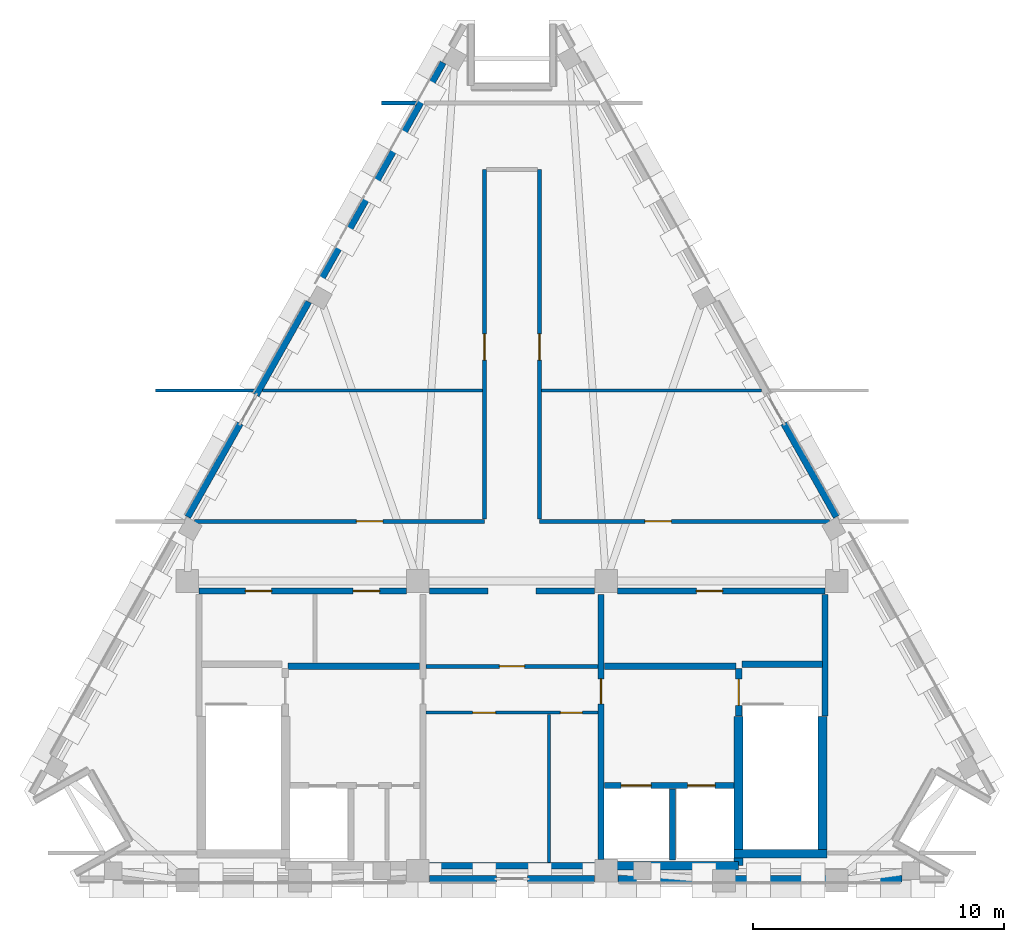
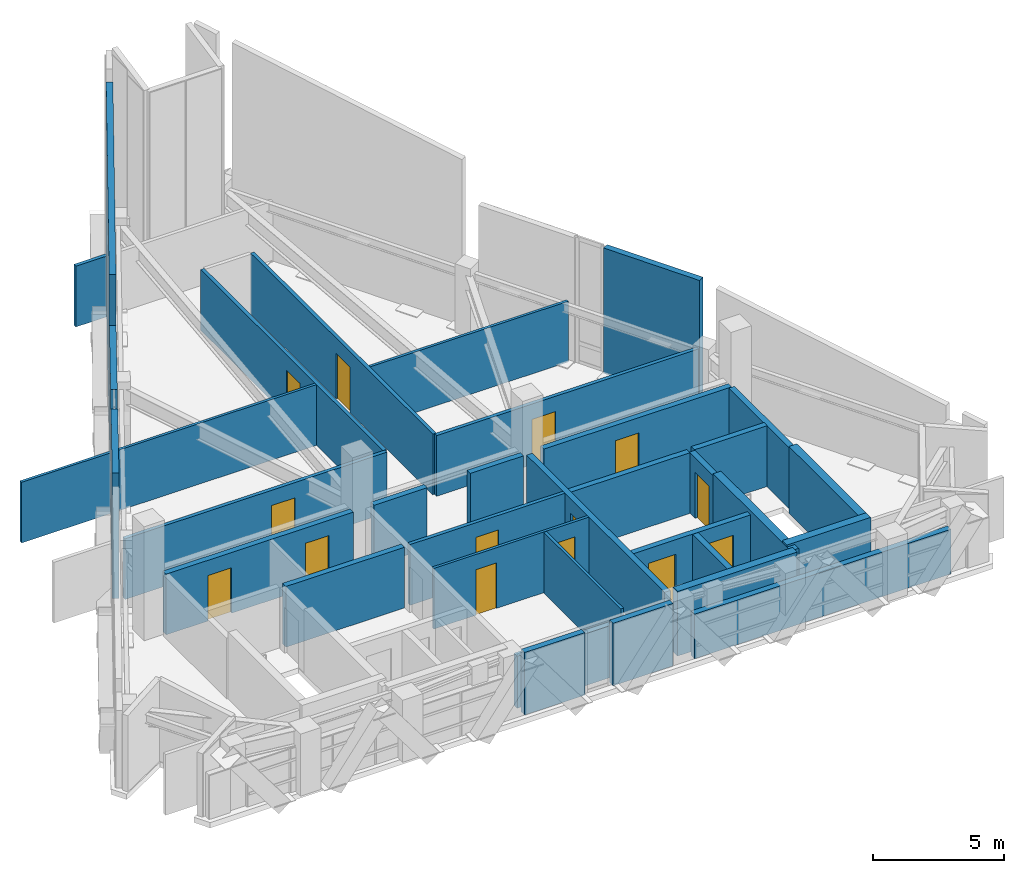
# One storey, part 4 of 7: 35 walls, 14 doors, 14 openings.
"""IFC4 building model written with IfcOpenShell, lengths in metres."""

from ifc_helpers import new_model, si_unit, direction, frame, frame_2d, origin, place, context, subcontext, project, spatial, polyline, rectangle, outline, extrude, material, layer, layer_set, type_object, element, fill, save


model = new_model("IFC4")

# Units and contexts
model_context = context("Model", 3, precision=1e-05, world=origin(), true_north=direction((0.0, 1.0)))
body_context = subcontext(model_context, "Body", "Model", "MODEL_VIEW")
ifc_project = project(units=[si_unit("LENGTHUNIT", "METRE"), si_unit("AREAUNIT", "SQUARE_METRE"), si_unit("VOLUMEUNIT", "CUBIC_METRE"), si_unit("PLANEANGLEUNIT", "RADIAN"), si_unit("MASSUNIT", "GRAM", prefix="KILO")], contexts=[model_context])

# Site, building, storey
site_placement = place(None, origin())
site = spatial("IfcSite", under=ifc_project, at=site_placement, CompositionType="ELEMENT")
building_placement = place(site_placement, origin())
building = spatial("IfcBuilding", under=site, at=building_placement, Name="Quenlor Broadcast Tower", CompositionType="ELEMENT")
storey_placement = place(building_placement, frame((0.0, 0.0, 286.89990234375)))
storey = spatial("IfcBuildingStorey", under=building, at=storey_placement, Name="L80", CompositionType="ELEMENT", Elevation=286.89990234375)

# Walls
ifc_material_1 = material(Name="Concrete C50/60", Category="concrete")
ifc_layer_1 = layer(ifc_material_1, 0.35009765625)
ifc_layer_set_1 = layer_set([ifc_layer_1], Name="Core Concrete C50/60 Shear Wall 350")
wall_type_1 = type_object("IfcWallType", Name="Core Concrete C50/60 Shear Wall 350", PredefinedType="SHEAR", material=ifc_layer_set_1)
wall_1_placement = place(storey_placement, frame((3.75, -16.14990234375, 0.0), z_axis=(0.0, 0.0, 1.0), x_axis=(1.0, 0.0, 0.0)))
element("IfcWall", 1, at=wall_1_placement, inside=storey, type_object=wall_type_1, Name="L80 Core Shear Wall WS-E1", PredefinedType="SHEAR", context=body_context, shape_type="SweptSolid", body=[
    extrude(rectangle(XDim=5.27490234375, YDim=0.35009765625, at=frame_2d((2.637451171875, 0.0))), origin(), (0.0, 0.0, 1.0), 3.012939453125),
])
wall_2_placement = place(storey_placement, frame((8.85009765625, -15.675048828125, 0.0), z_axis=(0.0, 0.0, 1.0), x_axis=(1.0, 0.0, 0.0)))
element("IfcWall", 2, at=wall_2_placement, inside=storey, type_object=wall_type_1, Name="L80 Core Shear Wall WS-E2", PredefinedType="SHEAR", context=body_context, shape_type="SweptSolid", body=[
    extrude(rectangle(XDim=3.699951171875, YDim=0.35009765625, at=frame_2d((1.85009765625, 0.0))), origin(), (0.0, 0.0, 1.0), 3.109619140625),
])
wall_3_placement = place(storey_placement, frame((12.375, -15.675048828125, 0.0), z_axis=(0.0, 0.0, 1.0), x_axis=(0.0, 1.0, 0.0)))
element("IfcWall", 3, at=wall_3_placement, inside=storey, type_object=wall_type_1, Name="L80 Core Shear Wall WF-E", PredefinedType="SHEAR", context=body_context, shape_type="SweptSolid", body=[
    extrude(rectangle(XDim=5.47509765625, YDim=0.35009765625, at=frame_2d((2.737548828125, 0.0))), origin(), (0.0, 0.0, 1.0), 3.109619140625),
])
wall_4_placement = place(storey_placement, frame((9.02490234375, -16.14990234375, 0.0), z_axis=(0.0, 0.0, 1.0), x_axis=(0.0, 1.0, 0.0)))
element("IfcWall", 4, at=wall_4_placement, inside=storey, type_object=wall_type_1, Name="L80 Core Shear Wall WI-E", PredefinedType="SHEAR", context=body_context, shape_type="SweptSolid", body=[
    extrude(rectangle(XDim=5.949951171875, YDim=0.35009765625, at=frame_2d((2.97509765625, 0.0))), origin(), (0.0, 0.0, 1.0), 3.012939453125),
])

# Wall, opening, door
ifc_material_2 = material(Name="Concrete C40/50", Category="concrete")
ifc_layer_2 = layer(ifc_material_2, 0.25)
ifc_layer_set_2 = layer_set([ifc_layer_2], Name="Fire Rated Concrete C40/50 Core Wall 250")
wall_type_2 = type_object("IfcWallType", Name="Fire Rated Concrete C40/50 Core Wall 250", PredefinedType="PARTITIONING", material=ifc_layer_set_2)
wall_5_placement = place(storey_placement, frame((9.0400390625, -10.179931640625, 0.0), z_axis=(0.0, 0.0, 1.0), x_axis=(0.0, 1.0, 0.0)))
wall_5 = element("IfcWall", 5, at=wall_5_placement, inside=storey, type_object=wall_type_2, Name="L80 Interior Wall CW-ST2-DR", PredefinedType="PARTITIONING", context=body_context, shape_type="SweptSolid", body=[
    extrude(rectangle(XDim=1.89990234375, YDim=0.25, at=frame_2d((0.949951171875, 0.0))), origin(), (0.0, 0.0, 1.0), 2.8330078125),
])
opening_1_placement = place(wall_5_placement, frame((0.419921875, 0.0, 0.0)))
opening_1 = element("IfcOpeningElement", 6, at=opening_1_placement, cuts=wall_5, Name="Opening FD-1", PredefinedType="OPENING", context=body_context, shape_type="SweptSolid", body=[
    extrude(rectangle(XDim=1.050048828125, YDim=2.14990234375, at=frame_2d((0.52490234375, 1.074951171875))), frame((0.0, 0.135009765625, 0.0), z_axis=(0.0, -1.0, 0.0), x_axis=(1.0, 0.0, 0.0)), (0.0, 0.0, 1.0), 0.27001953125),
])
ifc_material_3 = material(Name="Fire Rated Steel Door Leaf", Category="steel")
door_type_1 = type_object("IfcDoorType", Name="Fire Isolated Stair Door 1050x2150", OperationType="NOTDEFINED", PredefinedType="DOOR", material=ifc_material_3)
door_1_placement = place(opening_1_placement, origin())
door_1 = element("IfcDoor", 7, at=door_1_placement, inside=storey, type_object=door_type_1, Name="L80 Door DR-ST2", OperationType="SINGLE_SWING_RIGHT", OverallHeight=2.14990234375, OverallWidth=1.050048828125, PredefinedType="DOOR", context=body_context, shape_type="SweptSolid", body=[
    extrude(rectangle(XDim=1.050048828125, YDim=2.14990234375, at=frame_2d((0.52490234375, 1.074951171875))), frame((0.0, 0.02490234375, 0.0), z_axis=(0.0, -1.0, 0.0), x_axis=(1.0, 0.0, 0.0)), (0.0, 0.0, 1.0), 0.050048828125),
])
fill(opening_1, door_1)

# Walls
wall_6_placement = place(storey_placement, frame((9.159912109375, -8.1201171875, 0.0), z_axis=(0.0, 0.0, 1.0), x_axis=(1.0, 0.0, 0.0)))
element("IfcWall", 8, at=wall_6_placement, inside=storey, type_object=wall_type_2, Name="L80 Interior Wall CW-ST2-N", PredefinedType="PARTITIONING", context=body_context, shape_type="SweptSolid", body=[
    extrude(rectangle(XDim=3.219970703125, YDim=0.25, at=frame_2d((1.60986328125, 0.0))), origin(), (0.0, 0.0, 1.0), 2.8330078125),
])
wall_7_placement = place(storey_placement, frame((12.47998046875, -10.179931640625, 0.0), z_axis=(0.0, 0.0, 1.0), x_axis=(0.0, 1.0, 0.0)))
element("IfcWall", 9, at=wall_7_placement, inside=storey, type_object=wall_type_2, Name="L80 Interior Wall CW-ST2-E2", PredefinedType="PARTITIONING", context=body_context, shape_type="SweptSolid", body=[
    extrude(rectangle(XDim=4.83984375, YDim=0.25, at=frame_2d((2.419921875, 0.0))), origin(), (0.0, 0.0, 1.0), 2.8330078125),
])

# Wall, openings, doors
wall_8_placement = place(storey_placement, frame((3.679931640625, -12.949951171875, 0.0), z_axis=(0.0, 0.0, 1.0), x_axis=(1.0, 0.0, 0.0)))
wall_8 = element("IfcWall", 10, at=wall_8_placement, inside=storey, type_object=wall_type_2, Name="L80 Interior Wall CW-FFE-S", PredefinedType="PARTITIONING", context=body_context, shape_type="SweptSolid", body=[
    extrude(rectangle(XDim=5.16796875, YDim=0.25, at=frame_2d((2.583984375, 0.0))), origin(), (0.0, 0.0, 1.0), 2.8330078125),
])
opening_2_placement = place(wall_8_placement, frame((3.320068359375, 0.0, 0.0)))
opening_2 = element("IfcOpeningElement", 11, at=opening_2_placement, cuts=wall_8, Name="Opening LD-FFL-2", PredefinedType="OPENING", context=body_context, shape_type="SweptSolid", body=[
    extrude(rectangle(XDim=1.10009765625, YDim=2.14990234375, at=frame_2d((0.550048828125, 1.074951171875))), frame((0.0, 0.135009765625, 0.0), z_axis=(0.0, -1.0, 0.0), x_axis=(1.0, 0.0, 0.0)), (0.0, 0.0, 1.0), 0.27001953125),
])
opening_3_placement = place(wall_8_placement, frame((0.669921875, 0.0, 0.0)))
opening_3 = element("IfcOpeningElement", 12, at=opening_3_placement, cuts=wall_8, Name="Opening LD-SVL-1", PredefinedType="OPENING", context=body_context, shape_type="SweptSolid", body=[
    extrude(rectangle(XDim=1.199951171875, YDim=2.14990234375, at=frame_2d((0.60009765625, 1.074951171875))), frame((0.0, 0.135009765625, 0.0), z_axis=(0.0, -1.0, 0.0), x_axis=(1.0, 0.0, 0.0)), (0.0, 0.0, 1.0), 0.27001953125),
])
ifc_material_4 = material(Name="Brushed Stainless Steel", Category="steel")
door_type_2 = type_object("IfcDoorType", Name="Emergency Lift Sliding Landing Door 1100x2150", OperationType="NOTDEFINED", PredefinedType="DOOR", material=ifc_material_4)
door_2_placement = place(opening_2_placement, origin())
door_2 = element("IfcDoor", 13, at=door_2_placement, inside=storey, type_object=door_type_2, Name="L80 Door LD-FFL-2", OperationType="SLIDING_TO_RIGHT", OverallHeight=2.14990234375, OverallWidth=1.10009765625, PredefinedType="DOOR", context=body_context, shape_type="SweptSolid", body=[
    extrude(rectangle(XDim=1.10009765625, YDim=2.14990234375, at=frame_2d((0.550048828125, 1.074951171875))), frame((0.0, 0.02490234375, 0.0), z_axis=(0.0, -1.0, 0.0), x_axis=(1.0, 0.0, 0.0)), (0.0, 0.0, 1.0), 0.050048828125),
])
fill(opening_2, door_2)
ifc_material_5 = material(Name="Brushed Stainless Steel", Category="steel")
door_type_3 = type_object("IfcDoorType", Name="Goods Lift Sliding Landing Door 1200x2150", OperationType="NOTDEFINED", PredefinedType="DOOR", material=ifc_material_5)
door_3_placement = place(opening_3_placement, origin())
door_3 = element("IfcDoor", 14, at=door_3_placement, inside=storey, type_object=door_type_3, Name="L80 Door LD-SVL-1", OperationType="SLIDING_TO_LEFT", OverallHeight=2.14990234375, OverallWidth=1.199951171875, PredefinedType="DOOR", context=body_context, shape_type="SweptSolid", body=[
    extrude(rectangle(XDim=1.199951171875, YDim=2.14990234375, at=frame_2d((0.60009765625, 1.074951171875))), frame((0.0, 0.02490234375, 0.0), z_axis=(0.0, -1.0, 0.0), x_axis=(1.0, 0.0, 0.0)), (0.0, 0.0, 1.0), 0.050048828125),
])
fill(opening_3, door_3)

# Walls
wall_9_placement = place(storey_placement, frame((6.39990234375, -15.919921875, 0.0), z_axis=(0.0, 0.0, 1.0), x_axis=(0.0, 1.0, 0.0)))
element("IfcWall", 15, at=wall_9_placement, inside=storey, type_object=wall_type_2, Name="L80 Interior Wall CW-SV1-E", PredefinedType="PARTITIONING", context=body_context, shape_type="SweptSolid", body=[
    extrude(rectangle(XDim=2.829833984375, YDim=0.25, at=frame_2d((1.4150390625, 0.0))), origin(), (0.0, 0.0, 1.0), 2.8330078125),
])
for number, where, z_axis, x_axis, name in (
    (16, (-8.919921875, -8.199951171875, 0.0), (0.0, 0.0, 1.0), (1.0, 0.0, 0.0), "L80 Interior Wall CW-FFW-N"),
    (17, (3.679931640625, -8.199951171875, 0.0), (0.0, 0.0, 1.0), (1.0, 0.0, 0.0), "L80 Interior Wall CW-FFE-N"),
):
    element("IfcWall", number, at=place(storey_placement, frame(where, z_axis=z_axis, x_axis=x_axis)), inside=storey, type_object=wall_type_2, Name=name, PredefinedType="PARTITIONING", context=body_context, shape_type="SweptSolid", body=[
        extrude(rectangle(XDim=5.239990234375, YDim=0.25, at=frame_2d((2.6201171875, 0.0))), origin(), (0.0, 0.0, 1.0), 2.8330078125),
    ])

# Wall, opening, door
wall_10_placement = place(storey_placement, frame((3.550048828125, -15.89794921875, 0.0), z_axis=(0.0, 0.0, 1.0), x_axis=(0.0, 1.0, 0.0)))
wall_10 = element("IfcWall", 18, at=wall_10_placement, inside=storey, type_object=wall_type_2, Name="L80 Interior Wall CW-FFE-W", PredefinedType="PARTITIONING", context=body_context, shape_type="SweptSolid", body=[
    extrude(rectangle(XDim=10.557861328125, YDim=0.25, at=frame_2d((5.27880859375, 0.0))), origin(), (0.0, 0.0, 1.0), 2.8330078125),
])
opening_4_placement = place(wall_10_placement, frame((6.197998046875, 0.0, 0.0)))
opening_4 = element("IfcOpeningElement", 19, at=opening_4_placement, cuts=wall_10, Name="Opening FD-2", PredefinedType="OPENING", context=body_context, shape_type="SweptSolid", body=[
    extrude(rectangle(XDim=1.0, YDim=2.14990234375, at=frame_2d((0.5, 1.074951171875))), frame((0.0, 0.135009765625, 0.0), z_axis=(0.0, -1.0, 0.0), x_axis=(1.0, 0.0, 0.0)), (0.0, 0.0, 1.0), 0.27001953125),
])
ifc_material_6 = material(Name="Fire Rated Glazed Steel Door", Category="steel")
door_type_4 = type_object("IfcDoorType", Name="Firefighting Lobby Smoke Door 1000x2150", OperationType="NOTDEFINED", PredefinedType="DOOR", material=ifc_material_6)
door_4_placement = place(opening_4_placement, origin())
door_4 = element("IfcDoor", 20, at=door_4_placement, inside=storey, type_object=door_type_4, Name="L80 Door DR-FFLE", OperationType="SINGLE_SWING_LEFT", OverallHeight=2.14990234375, OverallWidth=1.0, PredefinedType="DOOR", context=body_context, shape_type="SweptSolid", body=[
    extrude(rectangle(XDim=1.0, YDim=2.14990234375, at=frame_2d((0.5, 1.074951171875))), frame((0.0, 0.02490234375, 0.0), z_axis=(0.0, -1.0, 0.0), x_axis=(1.0, 0.0, 0.0)), (0.0, 0.0, 1.0), 0.050048828125),
])
fill(opening_4, door_4)

# Wall, openings, doors
wall_11_placement = place(storey_placement, frame((-12.47998046875, -5.199951171875, 0.0), z_axis=(0.0, 0.0, 1.0), x_axis=(1.0, 0.0, 0.0)))
wall_11 = element("IfcWall", 21, at=wall_11_placement, inside=storey, type_object=wall_type_2, Name="L80 Interior Wall CW-N-W", PredefinedType="PARTITIONING", context=body_context, shape_type="SweptSolid", body=[
    extrude(rectangle(XDim=8.278076171875, YDim=0.25, at=frame_2d((4.13916015625, 0.0))), origin(), (0.0, 0.0, 1.0), 2.8330078125),
])
opening_5_placement = place(wall_11_placement, frame((1.85009765625, 0.0, 0.0)))
opening_5 = element("IfcOpeningElement", 22, at=opening_5_placement, cuts=wall_11, Name="Opening FD-3", PredefinedType="OPENING", context=body_context, shape_type="SweptSolid", body=[
    extrude(rectangle(XDim=1.050048828125, YDim=2.1201171875, at=frame_2d((0.52490234375, 1.06005859375))), frame((0.0, 0.135009765625, 0.0), z_axis=(0.0, -1.0, 0.0), x_axis=(1.0, 0.0, 0.0)), (0.0, 0.0, 1.0), 0.27001953125),
])
opening_6_placement = place(wall_11_placement, frame((6.14990234375, 0.0, 0.0)))
opening_6 = element("IfcOpeningElement", 23, at=opening_6_placement, cuts=wall_11, Name="Opening FD-3", PredefinedType="OPENING", context=body_context, shape_type="SweptSolid", body=[
    extrude(rectangle(XDim=1.050048828125, YDim=2.1201171875, at=frame_2d((0.52490234375, 1.06005859375))), frame((0.0, 0.135009765625, 0.0), z_axis=(0.0, -1.0, 0.0), x_axis=(1.0, 0.0, 0.0)), (0.0, 0.0, 1.0), 0.27001953125),
])
ifc_material_7 = material(Name="Galvanised Fire Steel Leaf", Category="steel")
door_type_5 = type_object("IfcDoorType", Name="Plant Room Fire Rated Door 1050x2120", OperationType="NOTDEFINED", PredefinedType="DOOR", material=ifc_material_7)
door_5_placement = place(opening_5_placement, origin())
door_5 = element("IfcDoor", 24, at=door_5_placement, inside=storey, type_object=door_type_5, Name="L80 Door DR-RCL1", OperationType="SINGLE_SWING_LEFT", OverallHeight=2.1201171875, OverallWidth=1.050048828125, PredefinedType="DOOR", context=body_context, shape_type="SweptSolid", body=[
    extrude(rectangle(XDim=1.050048828125, YDim=2.1201171875, at=frame_2d((0.52490234375, 1.06005859375))), frame((0.0, 0.02490234375, 0.0), z_axis=(0.0, -1.0, 0.0), x_axis=(1.0, 0.0, 0.0)), (0.0, 0.0, 1.0), 0.050048828125),
])
fill(opening_5, door_5)
door_6_placement = place(opening_6_placement, origin())
door_6 = element("IfcDoor", 25, at=door_6_placement, inside=storey, type_object=door_type_5, Name="L80 Door DR-RCL2", OperationType="SINGLE_SWING_RIGHT", OverallHeight=2.1201171875, OverallWidth=1.050048828125, PredefinedType="DOOR", context=body_context, shape_type="SweptSolid", body=[
    extrude(rectangle(XDim=1.050048828125, YDim=2.1201171875, at=frame_2d((0.52490234375, 1.06005859375))), frame((0.0, 0.02490234375, 0.0), z_axis=(0.0, -1.0, 0.0), x_axis=(1.0, 0.0, 0.0)), (0.0, 0.0, 1.0), 0.050048828125),
])
fill(opening_6, door_6)

# Wall, opening, door
wall_12_placement = place(storey_placement, frame((4.201904296875, -5.199951171875, 0.0), z_axis=(0.0, 0.0, 1.0), x_axis=(1.0, 0.0, 0.0)))
wall_12 = element("IfcWall", 26, at=wall_12_placement, inside=storey, type_object=wall_type_2, Name="L80 Interior Wall CW-N-E", PredefinedType="PARTITIONING", context=body_context, shape_type="SweptSolid", body=[
    extrude(rectangle(XDim=8.278076171875, YDim=0.25, at=frame_2d((4.13916015625, 0.0))), origin(), (0.0, 0.0, 1.0), 2.8330078125),
])
opening_7_placement = place(wall_12_placement, frame((3.14794921875, 0.0, 0.0)))
opening_7 = element("IfcOpeningElement", 27, at=opening_7_placement, cuts=wall_12, Name="Opening FD-3", PredefinedType="OPENING", context=body_context, shape_type="SweptSolid", body=[
    extrude(rectangle(XDim=1.050048828125, YDim=2.1201171875, at=frame_2d((0.52490234375, 1.06005859375))), frame((0.0, 0.135009765625, 0.0), z_axis=(0.0, -1.0, 0.0), x_axis=(1.0, 0.0, 0.0)), (0.0, 0.0, 1.0), 0.27001953125),
])
door_7_placement = place(opening_7_placement, origin())
door_7 = element("IfcDoor", 28, at=door_7_placement, inside=storey, type_object=door_type_5, Name="L80 Door DR-RCH1", OperationType="SINGLE_SWING_RIGHT", OverallHeight=2.1201171875, OverallWidth=1.050048828125, PredefinedType="DOOR", context=body_context, shape_type="SweptSolid", body=[
    extrude(rectangle(XDim=1.050048828125, YDim=2.1201171875, at=frame_2d((0.52490234375, 1.06005859375))), frame((0.0, 0.02490234375, 0.0), z_axis=(0.0, -1.0, 0.0), x_axis=(1.0, 0.0, 0.0)), (0.0, 0.0, 1.0), 0.050048828125),
])
fill(opening_7, door_7)

# Walls
for number, where, z_axis, x_axis, name in (
    (29, (-3.298095703125, -5.199951171875, 0.0), (0.0, 0.0, 1.0), (1.0, 0.0, 0.0), "L80 Interior Wall CW-N-M1"),
    (30, (0.949951171875, -5.199951171875, 0.0), (0.0, 0.0, 1.0), (1.0, 0.0, 0.0), "L80 Interior Wall CW-N-M2"),
):
    element("IfcWall", number, at=place(storey_placement, frame(where, z_axis=z_axis, x_axis=x_axis)), inside=storey, type_object=wall_type_2, Name=name, PredefinedType="PARTITIONING", context=body_context, shape_type="SweptSolid", body=[
        extrude(rectangle(XDim=2.34814453125, YDim=0.25, at=frame_2d((1.174072265625, 0.0))), origin(), (0.0, 0.0, 1.0), 2.8330078125),
    ])
wall_13_placement = place(storey_placement, frame((-3.298095703125, -16.14990234375, 0.0), z_axis=(0.0, 0.0, 1.0), x_axis=(1.0, 0.0, 0.0)))
element("IfcWall", 31, at=wall_13_placement, inside=storey, type_object=wall_type_2, Name="L80 Interior Wall CW-MS-S", PredefinedType="PARTITIONING", context=body_context, shape_type="SweptSolid", body=[
    extrude(rectangle(XDim=6.59619140625, YDim=0.25, at=frame_2d((3.298095703125, 0.0))), origin(), (0.0, 0.0, 1.0), 2.4267578125),
])

# Wall, opening, door
ifc_material_8 = material(Name="Gypsum Fireboard Partition", Category="other")
ifc_layer_3 = layer(ifc_material_8, 0.159912109375)
ifc_layer_set_3 = layer_set([ifc_layer_3], Name="Fire Rated Shaft and Corridor Partition 160")
wall_type_3 = type_object("IfcWallType", Name="Fire Rated Shaft and Corridor Partition 160", PredefinedType="PARTITIONING", material=ifc_layer_set_3)
wall_14_placement = place(storey_placement, frame((-3.419921875, -8.199951171875, 0.0), z_axis=(0.0, 0.0, 1.0), x_axis=(1.0, 0.0, 0.0)))
wall_14 = element("IfcWall", 32, at=wall_14_placement, inside=storey, type_object=wall_type_3, Name="L80 Interior Wall CW-M-BACK", PredefinedType="PARTITIONING", context=body_context, shape_type="SweptSolid", body=[
    extrude(rectangle(XDim=6.83984375, YDim=0.159912109375, at=frame_2d((3.419921875, 0.0))), origin(), (0.0, 0.0, 1.0), 2.8330078125),
])
opening_8_placement = place(wall_14_placement, frame((2.919921875, 0.0, 0.0)))
opening_8 = element("IfcOpeningElement", 33, at=opening_8_placement, cuts=wall_14, Name="Opening FD-2", PredefinedType="OPENING", context=body_context, shape_type="SweptSolid", body=[
    extrude(rectangle(XDim=1.0, YDim=2.14990234375, at=frame_2d((0.5, 1.074951171875))), frame((0.0, 0.08984375, 0.0), z_axis=(0.0, -1.0, 0.0), x_axis=(1.0, 0.0, 0.0)), (0.0, 0.0, 1.0), 0.179931640625),
])
door_8_placement = place(opening_8_placement, origin())
door_8 = element("IfcDoor", 34, at=door_8_placement, inside=storey, type_object=door_type_4, Name="L80 Door DR-CCRP", OperationType="SINGLE_SWING_LEFT", OverallHeight=2.14990234375, OverallWidth=1.0, PredefinedType="DOOR", context=body_context, shape_type="SweptSolid", body=[
    extrude(rectangle(XDim=1.0, YDim=2.14990234375, at=frame_2d((0.5, 1.074951171875))), frame((0.0, 0.02490234375, 0.0), z_axis=(0.0, -1.0, 0.0), x_axis=(1.0, 0.0, 0.0)), (0.0, 0.0, 1.0), 0.050048828125),
])
fill(opening_8, door_8)

# Wall
wall_15_placement = place(storey_placement, frame((-5.199951171875, 14.25, 0.0), z_axis=(0.0, 0.0, 1.0), x_axis=(1.0, 0.0, 0.0)))
element("IfcWall", 35, at=wall_15_placement, inside=storey, type_object=wall_type_3, Name="L80 Interior Wall PW-PL-NTOP", PredefinedType="PARTITIONING", context=body_context, shape_type="SweptSolid", body=[
    extrude(rectangle(XDim=1.399658203125, YDim=0.159912109375, at=frame_2d((0.69970703125, 0.0))), origin(), (0.0, 0.0, 1.0), 2.8330078125),
])

# Wall, opening, door
wall_16_placement = place(storey_placement, frame((-12.65283203125, -2.419921875, 0.0), z_axis=(0.0, 0.0, 1.0), x_axis=(1.0, 0.0, 0.0)))
wall_16 = element("IfcWall", 36, at=wall_16_placement, inside=storey, type_object=wall_type_3, Name="L80 Interior Wall PW-PL-HWS2", PredefinedType="PARTITIONING", context=body_context, shape_type="SweptSolid", body=[
    extrude(rectangle(XDim=11.552734375, YDim=0.159912109375, at=frame_2d((5.7763671875, 0.0))), origin(), (0.0, 0.0, 1.0), 2.8330078125),
])
opening_9_placement = place(wall_16_placement, frame((6.452880859375, 0.0, 0.0)))
opening_9 = element("IfcOpeningElement", 37, at=opening_9_placement, cuts=wall_16, Name="Opening FD-3", PredefinedType="OPENING", context=body_context, shape_type="SweptSolid", body=[
    extrude(rectangle(XDim=1.050048828125, YDim=2.1201171875, at=frame_2d((0.52490234375, 1.06005859375))), frame((0.0, 0.08984375, 0.0), z_axis=(0.0, -1.0, 0.0), x_axis=(1.0, 0.0, 0.0)), (0.0, 0.0, 1.0), 0.179931640625),
])
door_9_placement = place(opening_9_placement, origin())
door_9 = element("IfcDoor", 38, at=door_9_placement, inside=storey, type_object=door_type_5, Name="L80 Door DR-PLT1", OperationType="SINGLE_SWING_LEFT", OverallHeight=2.1201171875, OverallWidth=1.050048828125, PredefinedType="DOOR", context=body_context, shape_type="SweptSolid", body=[
    extrude(rectangle(XDim=1.050048828125, YDim=2.1201171875, at=frame_2d((0.52490234375, 1.06005859375))), frame((0.0, 0.02490234375, 0.0), z_axis=(0.0, -1.0, 0.0), x_axis=(1.0, 0.0, 0.0)), (0.0, 0.0, 1.0), 0.050048828125),
])
fill(opening_9, door_9)

wall_17_placement = place(storey_placement, frame((1.10009765625, -2.419921875, 0.0), z_axis=(0.0, 0.0, 1.0), x_axis=(1.0, 0.0, 0.0)))
wall_17 = element("IfcWall", 39, at=wall_17_placement, inside=storey, type_object=wall_type_3, Name="L80 Interior Wall PW-PL-HE", PredefinedType="PARTITIONING", context=body_context, shape_type="SweptSolid", body=[
    extrude(rectangle(XDim=11.552734375, YDim=0.159912109375, at=frame_2d((5.7763671875, 0.0))), origin(), (0.0, 0.0, 1.0), 2.8330078125),
])
opening_10_placement = place(wall_17_placement, frame((4.199951171875, 0.0, 0.0)))
opening_10 = element("IfcOpeningElement", 40, at=opening_10_placement, cuts=wall_17, Name="Opening FD-3", PredefinedType="OPENING", context=body_context, shape_type="SweptSolid", body=[
    extrude(rectangle(XDim=1.050048828125, YDim=2.1201171875, at=frame_2d((0.52490234375, 1.06005859375))), frame((0.0, 0.08984375, 0.0), z_axis=(0.0, -1.0, 0.0), x_axis=(1.0, 0.0, 0.0)), (0.0, 0.0, 1.0), 0.179931640625),
])
door_10_placement = place(opening_10_placement, origin())
door_10 = element("IfcDoor", 41, at=door_10_placement, inside=storey, type_object=door_type_5, Name="L80 Door DR-PLT2", OperationType="SINGLE_SWING_RIGHT", OverallHeight=2.1201171875, OverallWidth=1.050048828125, PredefinedType="DOOR", context=body_context, shape_type="SweptSolid", body=[
    extrude(rectangle(XDim=1.050048828125, YDim=2.1201171875, at=frame_2d((0.52490234375, 1.06005859375))), frame((0.0, 0.02490234375, 0.0), z_axis=(0.0, -1.0, 0.0), x_axis=(1.0, 0.0, 0.0)), (0.0, 0.0, 1.0), 0.050048828125),
])
fill(opening_10, door_10)

wall_18_placement = place(storey_placement, frame((-1.10009765625, -2.337890625, 0.0), z_axis=(0.0, 0.0, 1.0), x_axis=(0.0, 1.0, 0.0)))
wall_18 = element("IfcWall", 42, at=wall_18_placement, inside=storey, type_object=wall_type_3, Name="L80 Interior Wall PW-PL-SW", PredefinedType="PARTITIONING", context=body_context, shape_type="SweptSolid", body=[
    extrude(rectangle(XDim=13.93798828125, YDim=0.159912109375, at=frame_2d((6.968994140625, 0.0))), origin(), (0.0, 0.0, 1.0), 2.8330078125),
])
opening_11_placement = place(wall_18_placement, frame((6.337890625, 0.0, 0.0)))
opening_11 = element("IfcOpeningElement", 43, at=opening_11_placement, cuts=wall_18, Name="Opening FD-3", PredefinedType="OPENING", context=body_context, shape_type="SweptSolid", body=[
    extrude(rectangle(XDim=1.050048828125, YDim=2.1201171875, at=frame_2d((0.52490234375, 1.06005859375))), frame((0.0, 0.08984375, 0.0), z_axis=(0.0, -1.0, 0.0), x_axis=(1.0, 0.0, 0.0)), (0.0, 0.0, 1.0), 0.179931640625),
])
door_11_placement = place(opening_11_placement, origin())
door_11 = element("IfcDoor", 44, at=door_11_placement, inside=storey, type_object=door_type_5, Name="L80 Door DR-PLT3", OperationType="SINGLE_SWING_LEFT", OverallHeight=2.1201171875, OverallWidth=1.050048828125, PredefinedType="DOOR", context=body_context, shape_type="SweptSolid", body=[
    extrude(rectangle(XDim=1.050048828125, YDim=2.1201171875, at=frame_2d((0.52490234375, 1.06005859375))), frame((0.0, 0.02490234375, 0.0), z_axis=(0.0, -1.0, 0.0), x_axis=(1.0, 0.0, 0.0)), (0.0, 0.0, 1.0), 0.050048828125),
])
fill(opening_11, door_11)

wall_19_placement = place(storey_placement, frame((1.10009765625, -2.337890625, 0.0), z_axis=(0.0, 0.0, 1.0), x_axis=(0.0, 1.0, 0.0)))
wall_19 = element("IfcWall", 45, at=wall_19_placement, inside=storey, type_object=wall_type_3, Name="L80 Interior Wall PW-PL-SE", PredefinedType="PARTITIONING", context=body_context, shape_type="SweptSolid", body=[
    extrude(rectangle(XDim=13.93798828125, YDim=0.159912109375, at=frame_2d((6.968994140625, 0.0))), origin(), (0.0, 0.0, 1.0), 2.8330078125),
])
opening_12_placement = place(wall_19_placement, frame((6.337890625, 0.0, 0.0)))
opening_12 = element("IfcOpeningElement", 46, at=opening_12_placement, cuts=wall_19, Name="Opening FD-3", PredefinedType="OPENING", context=body_context, shape_type="SweptSolid", body=[
    extrude(rectangle(XDim=1.050048828125, YDim=2.1201171875, at=frame_2d((0.52490234375, 1.06005859375))), frame((0.0, 0.08984375, 0.0), z_axis=(0.0, -1.0, 0.0), x_axis=(1.0, 0.0, 0.0)), (0.0, 0.0, 1.0), 0.179931640625),
])
door_12_placement = place(opening_12_placement, origin())
door_12 = element("IfcDoor", 47, at=door_12_placement, inside=storey, type_object=door_type_5, Name="L80 Door DR-PLT4", OperationType="SINGLE_SWING_RIGHT", OverallHeight=2.1201171875, OverallWidth=1.050048828125, PredefinedType="DOOR", context=body_context, shape_type="SweptSolid", body=[
    extrude(rectangle(XDim=1.050048828125, YDim=2.1201171875, at=frame_2d((0.52490234375, 1.06005859375))), frame((0.0, 0.02490234375, 0.0), z_axis=(0.0, -1.0, 0.0), x_axis=(1.0, 0.0, 0.0)), (0.0, 0.0, 1.0), 0.050048828125),
])
fill(opening_12, door_12)

# Wall, openings, doors
ifc_material_9 = material(Name="Gypsum Plasterboard Partition", Category="other")
ifc_layer_4 = layer(ifc_material_9, 0.1201171875)
ifc_layer_set_4 = layer_set([ifc_layer_4], Name="Standard Office Partition 120")
wall_type_4 = type_object("IfcWallType", Name="Standard Office Partition 120", PredefinedType="PARTITIONING", material=ifc_layer_set_4)
wall_20_placement = place(storey_placement, frame((-3.419921875, -10.050048828125, 0.0), z_axis=(0.0, 0.0, 1.0), x_axis=(1.0, 0.0, 0.0)))
wall_20 = element("IfcWall", 48, at=wall_20_placement, inside=storey, type_object=wall_type_4, Name="L80 Interior Wall CW-MS-N", PredefinedType="PARTITIONING", context=body_context, shape_type="SweptSolid", body=[
    extrude(rectangle(XDim=6.83984375, YDim=0.1201171875, at=frame_2d((3.419921875, 0.0))), origin(), (0.0, 0.0, 1.0), 2.8330078125),
])
opening_13_placement = place(wall_20_placement, frame((1.85009765625, 0.0, 0.0)))
opening_13 = element("IfcOpeningElement", 49, at=opening_13_placement, cuts=wall_20, Name="Opening ID-1", PredefinedType="OPENING", context=body_context, shape_type="SweptSolid", body=[
    extrude(rectangle(XDim=0.919921875, YDim=2.1201171875, at=frame_2d((0.4599609375, 1.06005859375))), frame((0.0, 0.070068359375, 0.0), z_axis=(0.0, -1.0, 0.0), x_axis=(1.0, 0.0, 0.0)), (0.0, 0.0, 1.0), 0.14013671875),
])
opening_14_placement = place(wall_20_placement, frame((5.35009765625, 0.0, 0.0)))
opening_14 = element("IfcOpeningElement", 50, at=opening_14_placement, cuts=wall_20, Name="Opening ID-4", PredefinedType="OPENING", context=body_context, shape_type="SweptSolid", body=[
    extrude(rectangle(XDim=0.8798828125, YDim=2.1201171875, at=frame_2d((0.43994140625, 1.06005859375))), frame((0.0, 0.070068359375, 0.0), z_axis=(0.0, -1.0, 0.0), x_axis=(1.0, 0.0, 0.0)), (0.0, 0.0, 1.0), 0.14013671875),
])
ifc_material_10 = material(Name="Solid Core Timber Oak", Category="wood")
door_type_6 = type_object("IfcDoorType", Name="Service Closet Timber Door 880x2120", OperationType="NOTDEFINED", PredefinedType="DOOR", material=ifc_material_10)
door_13_placement = place(opening_14_placement, origin())
door_13 = element("IfcDoor", 51, at=door_13_placement, inside=storey, type_object=door_type_6, Name="L80 Door DR-RCMB", OperationType="SINGLE_SWING_RIGHT", OverallHeight=2.1201171875, OverallWidth=0.8798828125, PredefinedType="DOOR", context=body_context, shape_type="SweptSolid", body=[
    extrude(rectangle(XDim=0.8798828125, YDim=2.1201171875, at=frame_2d((0.43994140625, 1.06005859375))), frame((0.0, 0.02490234375, 0.0), z_axis=(0.0, -1.0, 0.0), x_axis=(1.0, 0.0, 0.0)), (0.0, 0.0, 1.0), 0.050048828125),
])
fill(opening_14, door_13)
ifc_material_11 = material(Name="Solid Core Timber Oak", Category="wood")
door_type_7 = type_object("IfcDoorType", Name="Single Leaf Timber Office Door 920x2120", OperationType="NOTDEFINED", PredefinedType="DOOR", material=ifc_material_11)
door_14_placement = place(opening_13_placement, origin())
door_14 = element("IfcDoor", 52, at=door_14_placement, inside=storey, type_object=door_type_7, Name="L80 Door DR-RCMA", OperationType="SINGLE_SWING_LEFT", OverallHeight=2.1201171875, OverallWidth=0.919921875, PredefinedType="DOOR", context=body_context, shape_type="SweptSolid", body=[
    extrude(rectangle(XDim=0.919921875, YDim=2.1201171875, at=frame_2d((0.4599609375, 1.06005859375))), frame((0.0, 0.02490234375, 0.0), z_axis=(0.0, -1.0, 0.0), x_axis=(1.0, 0.0, 0.0)), (0.0, 0.0, 1.0), 0.050048828125),
])
fill(opening_13, door_14)

# Walls
wall_21_placement = place(storey_placement, frame((1.47998046875, -16.02001953125, 0.0), z_axis=(0.0, 0.0, 1.0), x_axis=(0.0, 1.0, 0.0)))
element("IfcWall", 53, at=wall_21_placement, inside=storey, type_object=wall_type_4, Name="L80 Interior Wall CW-RCM-X2", PredefinedType="PARTITIONING", context=body_context, shape_type="SweptSolid", body=[
    extrude(rectangle(XDim=5.89013671875, YDim=0.1201171875, at=frame_2d((2.945068359375, 0.0))), origin(), (0.0, 0.0, 1.0), 2.8330078125),
])
wall_22_placement = place(storey_placement, frame((-14.199951171875, 2.800048828125, 0.0), z_axis=(0.0, 0.0, 1.0), x_axis=(1.0, 0.0, 0.0)))
element("IfcWall", 54, at=wall_22_placement, inside=storey, type_object=wall_type_4, Name="L80 Interior Wall PW-PL-YW", PredefinedType="PARTITIONING", context=body_context, shape_type="SweptSolid", body=[
    extrude(rectangle(XDim=3.958984375, YDim=0.1201171875, at=frame_2d((1.9794921875, 0.0))), origin(), (0.0, 0.0, 1.0), 2.8330078125),
])
for number, where, z_axis, x_axis, name in (
    (55, (-9.93798828125, 2.800048828125, 0.0), (0.0, 0.0, 1.0), (1.0, 0.0, 0.0), "L80 Interior Wall PW-PL-YWS2"),
    (56, (1.181884765625, 2.800048828125, 0.0), (0.0, 0.0, 1.0), (1.0, 0.0, 0.0), "L80 Interior Wall PW-PL-YE"),
):
    element("IfcWall", number, at=place(storey_placement, frame(where, z_axis=z_axis, x_axis=x_axis)), inside=storey, type_object=wall_type_4, Name=name, PredefinedType="PARTITIONING", context=body_context, shape_type="SweptSolid", body=[
        extrude(rectangle(XDim=8.756103515625, YDim=0.1201171875, at=frame_2d((4.3779296875, 0.0))), origin(), (0.0, 0.0, 1.0), 2.8330078125),
    ])
ifc_material_12 = material(Name="Precast concrete C40/50", Category="concrete")
ifc_layer_5 = layer(ifc_material_12, 0.260009765625)
ifc_layer_set_5 = layer_set([ifc_layer_5], Name="Terracotta Precast Concrete C40/50 Upper Wall 260")
wall_type_5 = type_object("IfcWallType", Name="Terracotta Precast Concrete C40/50 Upper Wall 260", PredefinedType="STANDARD", material=ifc_layer_set_5)
wall_23_placement = place(storey_placement, frame((15.54248046875, -16.675048828125, 0.0), z_axis=(0.0, 0.0, 1.0), x_axis=(-1.0, 0.0, 0.0)))
element("IfcWall", 57, at=wall_23_placement, inside=storey, type_object=wall_type_5, Name="L80 Exterior Wall L80-EW-SA", PredefinedType="STANDARD", context=body_context, shape_type="SweptSolid", body=[
    extrude(outline(polyline([(0.0, 0.0), (11.322509765625, 0.0), (11.322509765625, 2.080078125), (0.0, 2.080078125), (0.0, 0.0)])), frame((0.0, 0.1298828125, 0.0), z_axis=(0.0, -1.0, 0.0), x_axis=(1.0, 0.0, 0.0)), (0.0, 0.0, 1.0), 0.260009765625),
])
for number, where, z_axis, x_axis, name in (
    (58, (3.280029296875, -16.675048828125, 0.0), (0.0, 0.0, 1.0), (-1.0, 0.0, 0.0), "L80 Exterior Wall L80-S-SP1"),
    (59, (-0.622802734375, -16.675048828125, 0.0), (0.0, 0.0, 1.0), (-1.0, 0.0, 0.0), "L80 Exterior Wall L80-S-SP2"),
):
    element("IfcWall", number, at=place(storey_placement, frame(where, z_axis=z_axis, x_axis=x_axis)), inside=storey, type_object=wall_type_5, Name=name, PredefinedType="STANDARD", context=body_context, shape_type="SweptSolid", body=[
        extrude(rectangle(XDim=2.6572265625, YDim=0.260009765625, at=frame_2d((1.32861328125, 0.0))), origin(), (0.0, 0.0, 1.0), 2.916259765625),
    ])
wall_24_placement = place(storey_placement, frame((10.834228515625, 1.476318359375, 0.0), z_axis=(0.0, 0.0, 1.0), x_axis=(0.490234089962, -0.871590808258, 0.0)))
element("IfcWall", 60, at=wall_24_placement, inside=storey, type_object=wall_type_5, Name="L80 Exterior Wall L80-NE-SP2", PredefinedType="STANDARD", context=body_context, shape_type="SweptSolid", body=[
    extrude(rectangle(XDim=4.26953125, YDim=0.260009765625, at=frame_2d((2.134765625, 0.0))), origin(), (0.0, 0.0, 1.0), 5.85205078125),
])
wall_25_placement = place(storey_placement, frame((-7.750732421875, 6.9580078125, 0.0), z_axis=(0.0, 0.0, 1.0), x_axis=(0.490260105081, 0.871576175309, 0.0)))
element("IfcWall", 61, at=wall_25_placement, inside=storey, type_object=wall_type_5, Name="L80 Exterior Wall L80-EW-NWC", PredefinedType="STANDARD", context=body_context, shape_type="SweptSolid", body=[
    extrude(outline(polyline([(0.0, 0.0), (10.216552734375, 0.0), (10.216552734375, 9.5361328125), (0.0, 7.724365234375), (0.0, 0.0)])), frame((0.0, 0.1298828125, 0.0), z_axis=(0.0, -1.0, 0.0), x_axis=(1.0, 0.0, 0.0)), (0.0, 0.0, 1.0), 0.260009765625),
])
for number, where, z_axis, x_axis, name in (
    (62, (-12.92724609375, -2.244873046875, 0.0), (0.0, 0.0, 1.0), (0.490234089962, 0.871590808258, 0.0), "L80 Exterior Wall L80-NW-SP1"),
    (63, (-10.19921875, 2.60498046875, 0.0), (0.0, 0.0, 1.0), (0.490234089962, 0.871590808258, 0.0), "L80 Exterior Wall L80-NW-SP2"),
):
    element("IfcWall", number, at=place(storey_placement, frame(where, z_axis=z_axis, x_axis=x_axis)), inside=storey, type_object=wall_type_5, Name=name, PredefinedType="STANDARD", context=body_context, shape_type="SweptSolid", body=[
        extrude(rectangle(XDim=4.26953125, YDim=0.260009765625, at=frame_2d((2.134765625, 0.0))), origin(), (0.0, 0.0, 1.0), 5.85205078125),
    ])

save(model, "model.ifc")
